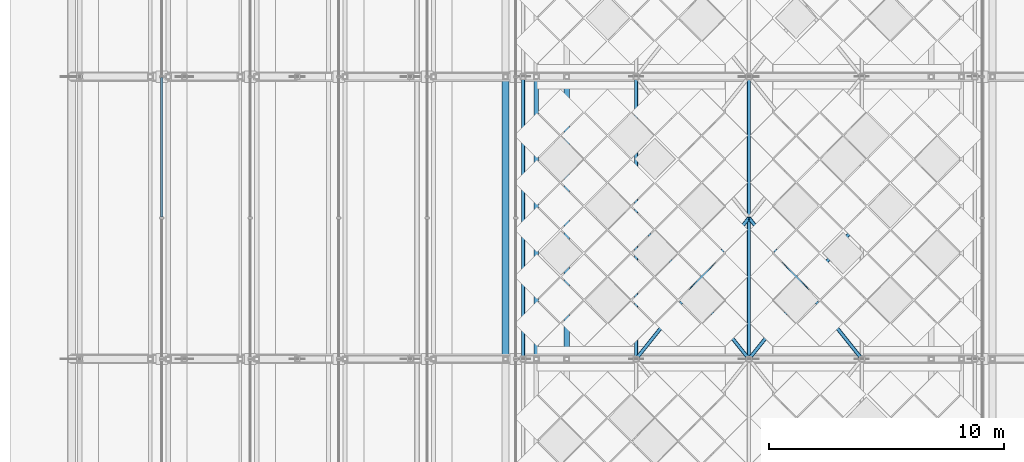
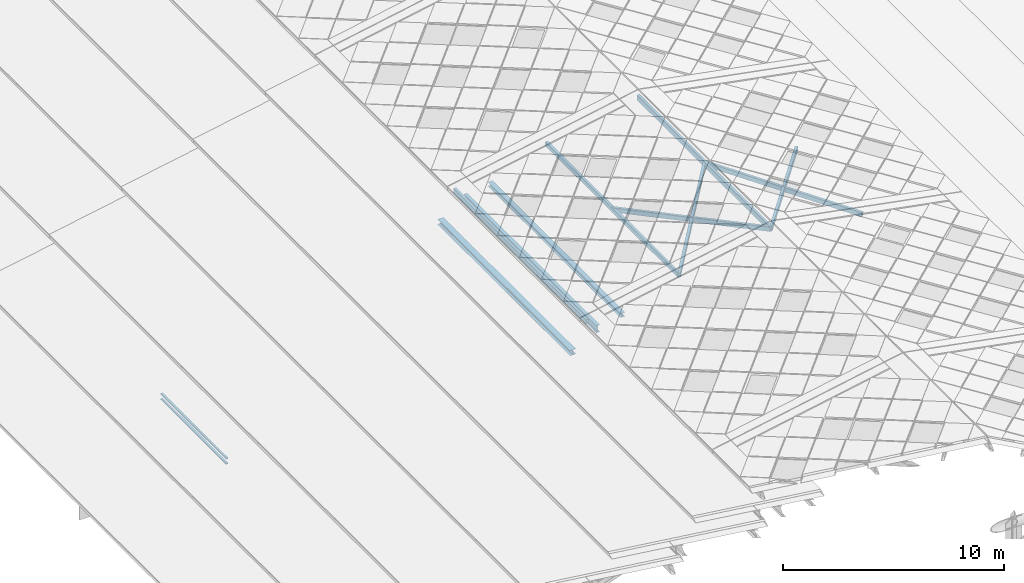
# One storey, part 14 of 117: 12 members, 1 element without a shape of its own.
"""IFC4 building model written with IfcOpenShell, lengths in metres."""

from ifc_helpers import new_model, si_unit, direction, frame, origin, origin_2d, place, context, subcontext, project, spatial, hollow_rectangle, i_section, extrude, material, material_profile, profile_set, type_object, element, aggregate, save


model = new_model("IFC4")

# Units and contexts
model_context = context("Model", 3, precision=1e-05, world=origin(), true_north=direction((0.0, 1.0)))
body_context = subcontext(model_context, "Body", "Model", "MODEL_VIEW")
ifc_project = project(units=[si_unit("LENGTHUNIT", "METRE"), si_unit("AREAUNIT", "SQUARE_METRE"), si_unit("VOLUMEUNIT", "CUBIC_METRE"), si_unit("PLANEANGLEUNIT", "RADIAN"), si_unit("MASSUNIT", "GRAM", prefix="KILO")], contexts=[model_context])

# Site, building, storey
site_placement = place(None, origin())
site = spatial("IfcSite", under=ifc_project, at=site_placement, CompositionType="ELEMENT")
building_placement = place(site_placement, origin())
building = spatial("IfcBuilding", under=site, at=building_placement, Name="Merenkruunu Market Hall", CompositionType="ELEMENT")
storey_placement = place(building_placement, frame((0.0, 0.0, 22.800048828125)))
storey = spatial("IfcBuildingStorey", under=building, at=storey_placement, Name="RF", CompositionType="ELEMENT", Elevation=22.800048828125)

# Curtain wall, members
ifc_material_1 = material(Name="Powder-coated aluminium", Category="aluminium")
curtain_wall_type = type_object("IfcCurtainWallType", Name="Clerestory Curtain Band CL05", PredefinedType="USERDEFINED", material=ifc_material_1)
curtain_wall_placement = place(storey_placement, origin())
curtain_wall = element("IfcCurtainWall", 1, at=curtain_wall_placement, inside=storey, type_object=curtain_wall_type, Name="CW-RF-CWM04-083", ObjectType="CLERESTORY_BAND", PredefinedType="USERDEFINED")
ifc_material_profile_1 = material_profile(ifc_material_1, hollow_rectangle(XDim=0.06005859375, YDim=0.110107421875, WallThickness=0.00390625, at=origin_2d()), Name="ALU 60x110x4")
ifc_profile_set_1 = profile_set([ifc_material_profile_1], Name="Powder-coated aluminium")
member_type_1 = type_object("IfcMemberType", Name="Curtain Wall Transom CWT03", PredefinedType="USERDEFINED", material=ifc_profile_set_1)
member_1_placement = place(storey_placement, frame((3.840087890625, 45.635009765625, -6.491943359375), z_axis=(0.0, 1.0, 0.0), x_axis=(0.0, 0.0, 1.0)))
member_1 = element("IfcMember", 2, at=member_1_placement, type_object=member_type_1, Name="CL05 transom 2.1", ObjectType="TRANSOM", PredefinedType="USERDEFINED", context=body_context, shape_type="SweptSolid", body=[
    extrude(hollow_rectangle(XDim=0.06005859375, YDim=0.110107421875, WallThickness=0.00390625, at=origin_2d()), origin(), (0.0, 0.0, 1.0), 5.929931640625),
])
member_2_placement = place(storey_placement, frame((3.840087890625, 45.635009765625, -6.2041015625), z_axis=(0.0, 1.0, 0.0), x_axis=(0.0, 0.0, 1.0)))
member_2 = element("IfcMember", 3, at=member_2_placement, type_object=member_type_1, Name="CL05 transom 2.2", ObjectType="TRANSOM", PredefinedType="USERDEFINED", context=body_context, shape_type="SweptSolid", body=[
    extrude(hollow_rectangle(XDim=0.06005859375, YDim=0.110107421875, WallThickness=0.00390625, at=origin_2d()), origin(), (0.0, 0.0, 1.0), 5.929931640625),
])
aggregate(curtain_wall, [member_1, member_2])

# Members
ifc_material_2 = material(Name="Steel S355ML", Category="steel")
ifc_material_profile_2 = material_profile(ifc_material_2, hollow_rectangle(XDim=0.14990234375, YDim=0.25, WallThickness=0.010009765625, InnerFilletRadius=0.010009765625, OuterFilletRadius=0.02001953125, at=origin_2d()), Name="RHS 250x150x10")
ifc_profile_set_2 = profile_set([ifc_material_profile_2], Name="Steel S355ML")
member_type_2 = type_object("IfcMemberType", Name="Roof Purlin Rafter PR04", PredefinedType="PURLIN", material=ifc_profile_set_2)
for number, where, z_axis, x_axis, name in (
    (4, (19.199951171875, 39.60009765625, -0.35546875), (0.0, 1.0, 0.0), (-1.0, 0.0, 0.0), "MEM-CROWN-EAVE-028"),
    (5, (24.0, 39.60009765625, 0.546875), (0.0, 1.0, 0.0), (-1.0, 0.0, 0.0), "MEM-CROWN-MID-029"),
):
    element("IfcMember", number, at=place(storey_placement, frame(where, z_axis=z_axis, x_axis=x_axis)), inside=storey, type_object=member_type_2, Name=name, PredefinedType="PURLIN", context=body_context, shape_type="SweptSolid", body=[
        extrude(hollow_rectangle(XDim=0.14990234375, YDim=0.25, WallThickness=0.010009765625, InnerFilletRadius=0.010009765625, OuterFilletRadius=0.02001953125, at=origin_2d()), origin(), (0.0, 0.0, 1.0), 12.0),
    ])
for number, where, z_axis, x_axis, name in (
    (6, (24.0, 39.60009765625, 0.546875), (0.620665210201, 0.775823620665, 0.11345662812), (-0.780865709579, 0.624698922365, 0.0), "MEM-CROWN-DIAG-030"),
    (7, (28.800048828125, 39.60009765625, 1.42431640625), (-0.620665210201, 0.775823620665, -0.11345662812), (-0.780865709579, -0.624698922365, 0.0), "MEM-CROWN-DIAG-031"),
    (8, (33.60009765625, 39.60009765625, 0.546875), (-0.620665210201, 0.775823620665, 0.11345662812), (-0.780865709579, -0.624698922365, 0.0), "MEM-CROWN-DIAG-036"),
    (9, (28.800048828125, 39.60009765625, 1.42431640625), (0.620665210201, 0.775823620665, -0.11345662812), (-0.780865709579, 0.624698922365, 0.0), "MEM-CROWN-DIAG-037"),
):
    element("IfcMember", number, at=place(storey_placement, frame(where, z_axis=z_axis, x_axis=x_axis)), inside=storey, type_object=member_type_2, Name=name, PredefinedType="PURLIN", context=body_context, shape_type="SweptSolid", body=[
        extrude(hollow_rectangle(XDim=0.14990234375, YDim=0.25, WallThickness=0.010009765625, InnerFilletRadius=0.010009765625, OuterFilletRadius=0.02001953125, at=origin_2d()), origin(), (0.0, 0.0, 1.0), 7.733642578125),
    ])
ifc_material_profile_3 = material_profile(ifc_material_2, hollow_rectangle(XDim=0.14990234375, YDim=0.300048828125, WallThickness=0.012451171875, InnerFilletRadius=0.012451171875, OuterFilletRadius=0.02490234375, at=origin_2d()), Name="RHS 300x150x12.5")
ifc_profile_set_3 = profile_set([ifc_material_profile_3], Name="Steel S355ML")
member_type_3 = type_object("IfcMemberType", Name="Roof Purlin Rafter PR05", PredefinedType="PURLIN", material=ifc_profile_set_3)
member_3_placement = place(storey_placement, frame((28.800048828125, 39.60009765625, 1.42431640625), z_axis=(0.0, 1.0, 0.0), x_axis=(-1.0, 0.0, 0.0)))
element("IfcMember", 10, at=member_3_placement, inside=storey, type_object=member_type_3, Name="MEM-CROWN-RIDGE-027", PredefinedType="PURLIN", context=body_context, shape_type="SweptSolid", body=[
    extrude(hollow_rectangle(XDim=0.14990234375, YDim=0.300048828125, WallThickness=0.012451171875, InnerFilletRadius=0.012451171875, OuterFilletRadius=0.02490234375, at=origin_2d()), origin(), (0.0, 0.0, 1.0), 12.0),
])
ifc_material_profile_4 = material_profile(ifc_material_2, i_section(OverallWidth=0.300048828125, OverallDepth=0.2900390625, WebThickness=0.008544921875, FlangeThickness=0.013916015625, FilletRadius=0.027099609375, at=origin_2d()), Name="HEA 300")
ifc_profile_set_4 = profile_set([ifc_material_profile_4], Name="Steel S355ML")
member_type_4 = type_object("IfcMemberType", Name="Roof Purlin Rafter PR07", PredefinedType="PURLIN", material=ifc_profile_set_4)
member_4_placement = place(storey_placement, frame((18.449951171875, 39.60009765625, -1.789306640625), z_axis=(0.0, 1.0, 0.0), x_axis=(-1.0, 0.0, 0.0)))
element("IfcMember", 11, at=member_4_placement, inside=storey, type_object=member_type_4, Name="MEM-RF-PURL-W-149", PredefinedType="PURLIN", context=body_context, shape_type="SweptSolid", body=[
    extrude(i_section(OverallWidth=0.300048828125, OverallDepth=0.2900390625, WebThickness=0.008544921875, FlangeThickness=0.013916015625, FilletRadius=0.027099609375, at=origin_2d()), origin(), (0.0, 0.0, 1.0), 12.0),
])
ifc_material_profile_5 = material_profile(ifc_material_2, i_section(OverallWidth=0.239990234375, OverallDepth=0.22998046875, WebThickness=0.007568359375, FlangeThickness=0.011962890625, FilletRadius=0.02099609375, at=origin_2d()), Name="HEA 240")
ifc_profile_set_5 = profile_set([ifc_material_profile_5], Name="Steel S355ML")
member_type_5 = type_object("IfcMemberType", Name="Roof Purlin Rafter PR08", PredefinedType="PURLIN", material=ifc_profile_set_5)
member_5_placement = place(storey_placement, frame((21.050048828125, 39.60009765625, -0.62841796875), z_axis=(0.0, 1.0, 0.0), x_axis=(-1.0, 0.0, 0.0)))
element("IfcMember", 12, at=member_5_placement, inside=storey, type_object=member_type_5, Name="MEM-RF-PURL-W-181", PredefinedType="PURLIN", context=body_context, shape_type="SweptSolid", body=[
    extrude(i_section(OverallWidth=0.239990234375, OverallDepth=0.22998046875, WebThickness=0.007568359375, FlangeThickness=0.011962890625, FilletRadius=0.02099609375, at=origin_2d()), origin(), (0.0, 0.0, 1.0), 12.0),
])
ifc_material_profile_6 = material_profile(ifc_material_2, i_section(OverallWidth=0.179931640625, OverallDepth=0.39990234375, WebThickness=0.008544921875, FlangeThickness=0.013427734375, FilletRadius=0.02099609375, at=origin_2d()), Name="IPE 400")
ifc_profile_set_6 = profile_set([ifc_material_profile_6], Name="Steel S355ML")
member_type_6 = type_object("IfcMemberType", Name="Roof Purlin Rafter PR09", PredefinedType="PURLIN", material=ifc_profile_set_6)
member_6_placement = place(storey_placement, frame((19.760009765625, 39.60009765625, -0.947021484375), z_axis=(0.0, 1.0, 0.0), x_axis=(-1.0, 0.0, 0.0)))
element("IfcMember", 13, at=member_6_placement, inside=storey, type_object=member_type_6, Name="MEM-RF-PURL-W-165", PredefinedType="PURLIN", context=body_context, shape_type="SweptSolid", body=[
    extrude(i_section(OverallWidth=0.179931640625, OverallDepth=0.39990234375, WebThickness=0.008544921875, FlangeThickness=0.013427734375, FilletRadius=0.02099609375, at=origin_2d()), origin(), (0.0, 0.0, 1.0), 12.0),
])

save(model, "model.ifc")
